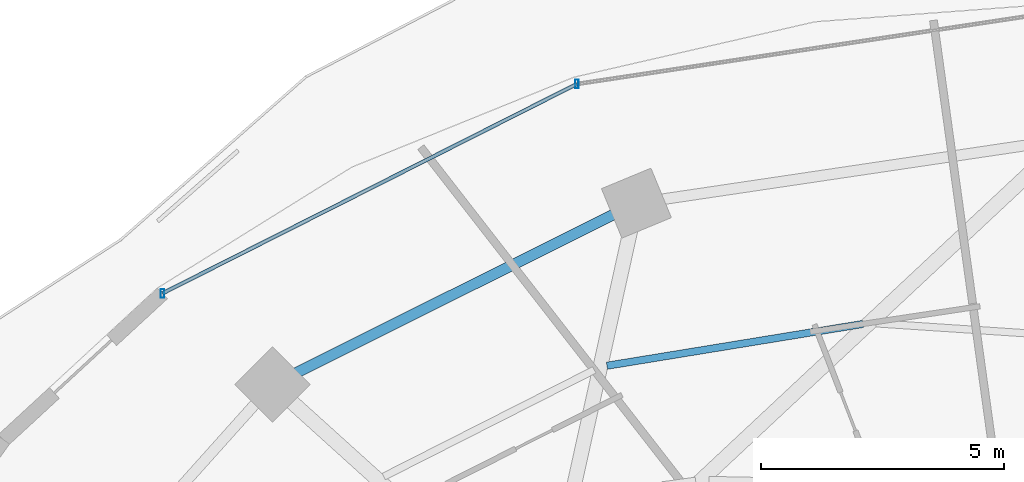
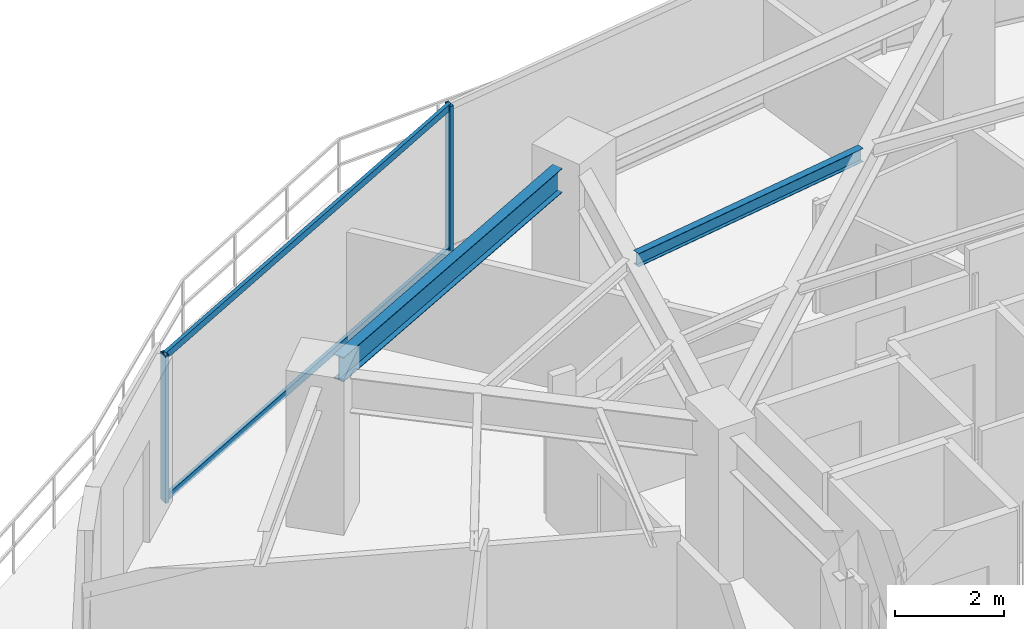
# One storey, part 16 of 30: 4 members, 2 beams, 1 element without a shape of its own.
"""IFC4 building model written with IfcOpenShell, lengths in metres."""

import ifcopenshell
import ifcopenshell.guid

model = None  # the IFC model being written
_history = None  # IfcOwnerHistory: only IFC2X3 demands one
_inside = {}  # id of a spatial element -> (the spatial element, [elements in it])
_under = {}  # id of a project, library or spatial element -> (it, [spatial elements below it])
_declared = {}  # id of a project -> (the project, [libraries it declares])
_typed = {}  # id of a type object -> (the type object, [elements of that type])
_made_of = {}  # id of a material, layer set ... -> (it, [elements and type objects made of it])


def new_model(schema):
    """Start an empty IFC model of exactly this schema.

    Asked for "IFC4X3", IfcOpenShell would pick the latest addendum, in which some entities
    have other attributes; the version numbers below select the first issue.
    IFC2X3 requires an IfcOwnerHistory on every rooted entity: one is made here for all.
    """
    global model, _history
    if schema == "IFC4X3":
        model = ifcopenshell.file(schema_version=(4, 3, 0, 0))
    else:
        model = ifcopenshell.file(schema=schema)
    _inside.clear()
    _under.clear()
    _declared.clear()
    _typed.clear()
    _made_of.clear()
    _history = None
    if model.schema == "IFC2X3":
        org = make("IfcOrganization", Name="unknown")
        user = make(
            "IfcPersonAndOrganization",
            ThePerson=make("IfcPerson", FamilyName="unknown"),
            TheOrganization=org,
        )
        app = make(
            "IfcApplication",
            ApplicationDeveloper=org,
            Version="unknown",
            ApplicationFullName="unknown",
            ApplicationIdentifier="unknown",
        )
        _history = make(
            "IfcOwnerHistory",
            OwningUser=user,
            OwningApplication=app,
            ChangeAction="ADDED",
            CreationDate=0,
        )
    return model


def make(cls, **values):
    """One entity of the class cls with the attributes given. An attribute that is None is left unset."""
    return model.create_entity(
        cls, **{name: value for name, value in values.items() if value is not None}
    )


def rooted(cls, **values):
    """An entity with a GlobalId (a new one), such as an element, a storey or a relation."""
    return make(cls, GlobalId=ifcopenshell.guid.new(), OwnerHistory=_history, **values)


def si_unit(unit_type, name, prefix=None):
    """IfcSIUnit, for example si_unit("LENGTHUNIT", "METRE", prefix="MILLI")."""
    return make("IfcSIUnit", UnitType=unit_type, Prefix=prefix, Name=name)


def assignment(units):
    """IfcUnitAssignment: the units of a project."""
    return None if units is None else make("IfcUnitAssignment", Units=units)


def point(xyz):
    """IfcCartesianPoint."""
    return None if xyz is None else make("IfcCartesianPoint", Coordinates=xyz)


def direction(xyz):
    """IfcDirection."""
    return None if xyz is None else make("IfcDirection", DirectionRatios=xyz)


def frame(location, z_axis=None, x_axis=None):
    """IfcAxis2Placement3D, a coordinate frame: its origin and axes. An axis left out is left unset."""
    return make(
        "IfcAxis2Placement3D",
        Location=point(location),
        Axis=direction(z_axis),
        RefDirection=direction(x_axis),
    )


def frame_2d(location, x_axis=None):
    """IfcAxis2Placement2D, a coordinate frame in the plane: its origin and x axis."""
    return make(
        "IfcAxis2Placement2D", Location=point(location), RefDirection=direction(x_axis)
    )


def origin():
    """The frame at (0, 0, 0) with its axes left unset."""
    return frame((0.0, 0.0, 0.0))


def origin_2d():
    """The frame at (0, 0) in the plane with its x axis left unset."""
    return frame_2d((0.0, 0.0))


def place(relative_to, where):
    """IfcLocalPlacement: puts the frame where relative to a parent placement (None: the world)."""
    return make(
        "IfcLocalPlacement", PlacementRelTo=relative_to, RelativePlacement=where
    )


def context(
    kind, dimensions, precision=None, world=None, true_north=None, identifier=None
):
    """IfcGeometricRepresentationContext, for example the 3D "Model" context."""
    return make(
        "IfcGeometricRepresentationContext",
        ContextIdentifier=identifier,
        ContextType=kind,
        CoordinateSpaceDimension=dimensions,
        Precision=precision,
        WorldCoordinateSystem=world,
        TrueNorth=true_north,
    )


def subcontext(parent, identifier, kind, view, scale=None):
    """IfcGeometricRepresentationSubContext, for example "Body" below "Model"."""
    return make(
        "IfcGeometricRepresentationSubContext",
        ContextIdentifier=identifier,
        ContextType=kind,
        ParentContext=parent,
        TargetScale=scale,
        TargetView=view,
    )


def project(units=None, contexts=None):
    """IfcProject with its units and contexts."""
    return rooted(
        "IfcProject",
        Name="project",
        RepresentationContexts=contexts,
        UnitsInContext=assignment(units),
    )


def spatial(cls, under=None, at=None, **own):
    """A site, building, storey or space (cls), placed at a placement, below another one or the project."""
    s = rooted(cls, ObjectPlacement=at, **own)
    if under is not None:
        _under.setdefault(under.id(), (under, []))[1].append(s)
    return s


def profile(cls, at=None, kind="AREA", **sizes):
    """A parametric profile (cls). Its sizes go by their IFC names, for example OverallWidth=200.0."""
    return make(cls, ProfileType=kind, Position=at, **sizes)


def hollow_rectangle(**sizes):
    """IfcRectangleHollowProfileDef."""
    return profile("IfcRectangleHollowProfileDef", **sizes)


def i_section(**sizes):
    """IfcIShapeProfileDef."""
    return profile("IfcIShapeProfileDef", **sizes)


def extrude(swept, where, along, depth):
    """IfcExtrudedAreaSolid: the profile swept, set in the frame where, extruded along a direction by depth."""
    return make(
        "IfcExtrudedAreaSolid",
        SweptArea=swept,
        Position=where,
        ExtrudedDirection=direction(along),
        Depth=depth,
    )


def shape(context_of_items, identifier, shape_type, items):
    """IfcShapeRepresentation: the items that make up one representation, for example the "Body"."""
    return make(
        "IfcShapeRepresentation",
        ContextOfItems=context_of_items,
        RepresentationIdentifier=identifier,
        RepresentationType=shape_type,
        Items=items,
    )


def material(Name=None, Category=None):
    """IfcMaterial."""
    return make("IfcMaterial", Name=Name, Category=Category)


def material_profile(
    of_material, cross_section, Name=None, Category=None, Priority=None
):
    """IfcMaterialProfile: a cross section and its material."""
    return make(
        "IfcMaterialProfile",
        Name=Name,
        Material=of_material,
        Profile=cross_section,
        Priority=Priority,
        Category=Category,
    )


def profile_set(profiles, Name=None, composite=None):
    """IfcMaterialProfileSet."""
    return make(
        "IfcMaterialProfileSet",
        Name=Name,
        MaterialProfiles=profiles,
        CompositeProfile=composite,
    )


def made_of(thing, what):
    """Note that an element or type object is made of a material, layer set ...; save() writes the relation."""
    if what is not None:
        _made_of.setdefault(what.id(), (what, []))[1].append(thing)
    return thing


def type_object(cls, material=None, **own):
    """A type object (cls), such as IfcWallType, which elements share."""
    return made_of(rooted(cls, **own), material)


def element(
    cls,
    number,
    at=None,
    inside=None,
    cuts=None,
    type_object=None,
    material=None,
    context=None,
    identifier="Body",
    shape_type=None,
    held_by="IfcProductDefinitionShape",
    body=None,
    shapes=None,
    **own,
):
    """One element of the class cls, such as IfcWall. Its Tag is "e" and its number.

    at: its placement. inside: the storey or other place that contains it. cuts: it is an
    opening in that element (IfcRelVoidsElement). A single representation is given by context,
    identifier, shape_type and body (its items); several are given by shapes. held_by: the class
    of the entity that holds the representations. save() writes the other relations.
    """
    e = rooted(cls, Tag="e%d" % number, ObjectPlacement=at, **own)
    if body is not None:
        shapes = [shape(context, identifier, shape_type, body)]
    if shapes is not None:
        e.Representation = make(held_by, Representations=shapes)
    if inside is not None:
        _inside.setdefault(inside.id(), (inside, []))[1].append(e)
    if cuts is not None:
        rooted(
            "IfcRelVoidsElement", RelatingBuildingElement=cuts, RelatedOpeningElement=e
        )
    if type_object is not None:
        _typed.setdefault(type_object.id(), (type_object, []))[1].append(e)
    return made_of(e, material)


def aggregate(whole, parts):
    """IfcRelAggregates: a whole, such as a stair, and the parts it consists of."""
    return rooted("IfcRelAggregates", RelatingObject=whole, RelatedObjects=parts)


def save(model, path):
    """Write the relations noted so far, then the file.

    IfcRelAggregates (storeys below a building ...), IfcRelContainedInSpatialStructure (elements
    in a storey), IfcRelDefinesByType, IfcRelAssociatesMaterial and IfcRelDeclares: one each for
    every whole, place, type object, material and project.
    """
    for whole, parts in _under.values():
        aggregate(whole, parts)
    for where, things in _inside.values():
        rooted(
            "IfcRelContainedInSpatialStructure",
            RelatedElements=things,
            RelatingStructure=where,
        )
    for kind, things in _typed.values():
        rooted("IfcRelDefinesByType", RelatedObjects=things, RelatingType=kind)
    for what, things in _made_of.values():
        rooted("IfcRelAssociatesMaterial", RelatedObjects=things, RelatingMaterial=what)
    for by, libraries in _declared.values():
        rooted("IfcRelDeclares", RelatingContext=by, RelatedDefinitions=libraries)
    model.write(path)


model = new_model("IFC4")

# Units and contexts
model_context = context("Model", 3, precision=1e-05, world=origin(), true_north=direction((0.0, 1.0)))
body_context = subcontext(model_context, "Body", "Model", "MODEL_VIEW")
ifc_project = project(units=[si_unit("LENGTHUNIT", "METRE"), si_unit("AREAUNIT", "SQUARE_METRE"), si_unit("VOLUMEUNIT", "CUBIC_METRE"), si_unit("PLANEANGLEUNIT", "RADIAN"), si_unit("MASSUNIT", "GRAM", prefix="KILO")], contexts=[model_context])

# Site, building, storey
site_placement = place(None, origin())
site = spatial("IfcSite", under=ifc_project, at=site_placement, CompositionType="ELEMENT")
building_placement = place(site_placement, origin())
building = spatial("IfcBuilding", under=site, at=building_placement, Name="Vorneva Point Tower", CompositionType="ELEMENT")
storey_placement = place(building_placement, frame((0.0, 0.0, 96.300048828125)))
storey = spatial("IfcBuildingStorey", under=building, at=storey_placement, Name="L25", CompositionType="ELEMENT", Elevation=96.300048828125)

# Beams
ifc_material_1 = material(Name="Steel S355", Category="steel")
ifc_material_profile_1 = material_profile(ifc_material_1, i_section(OverallWidth=0.14892578125, OverallDepth=0.298095703125, WebThickness=0.005615234375, FlangeThickness=0.008056640625, at=origin_2d()), Name="30B1")
ifc_profile_set_1 = profile_set([ifc_material_profile_1], Name="Steel S355")
beam_type_1 = type_object("IfcBeamType", Name="BM-JST-30B1", PredefinedType="JOIST", material=ifc_profile_set_1)
beam_1_placement = place(storey_placement, frame((33.831787109375, 39.408203125, 3.091064453125), z_axis=(-0.986930947591, -0.161143739214, 0.0), x_axis=(0.161143739214, -0.986930947591, 0.0)))
element("IfcBeam", 1, at=beam_1_placement, inside=storey, type_object=beam_type_1, Name="L25 Secondary Floor Beam 1.05", PredefinedType="JOIST", context=body_context, shape_type="SweptSolid", body=[
    extrude(i_section(OverallWidth=0.14892578125, OverallDepth=0.298095703125, WebThickness=0.005615234375, FlangeThickness=0.008056640625, at=origin_2d()), origin(), (0.0, 0.0, 1.0), 5.328369140625),
])
ifc_material_profile_2 = material_profile(ifc_material_1, i_section(OverallWidth=0.219970703125, OverallDepth=0.54296875, WebThickness=0.009521484375, FlangeThickness=0.013427734375, at=origin_2d()), Name="55B1")
ifc_profile_set_2 = profile_set([ifc_material_profile_2], Name="Steel S355")
beam_type_2 = type_object("IfcBeamType", Name="BM-SPN-55B1", PredefinedType="SPANDREL", material=ifc_profile_set_2)
beam_2_placement = place(storey_placement, frame((28.7001953125, 41.652099609375, 2.968505859375), z_axis=(-0.894915882304, -0.446234874926, 0.0), x_axis=(0.446234874926, -0.894915882304, 0.0)))
element("IfcBeam", 2, at=beam_2_placement, inside=storey, type_object=beam_type_2, Name="L25 Perimeter Spandrel Ring Beam 06", PredefinedType="SPANDREL", context=body_context, shape_type="SweptSolid", body=[
    extrude(i_section(OverallWidth=0.219970703125, OverallDepth=0.54296875, WebThickness=0.009521484375, FlangeThickness=0.013427734375, at=origin_2d()), origin(), (0.0, 0.0, 1.0), 7.285888671875),
])

# Curtain wall, members
ifc_material_2 = material(Name="Pale anodised aluminium", Category="aluminium")
curtain_wall_type = type_object("IfcCurtainWallType", Name="CW-HTL-SYS", PredefinedType="NOTDEFINED", material=ifc_material_2)
curtain_wall_placement = place(storey_placement, origin())
curtain_wall = element("IfcCurtainWall", 3, at=curtain_wall_placement, inside=storey, type_object=curtain_wall_type, Name="L25 Unitised Curtain Wall CW-L25-R02", PredefinedType="NOTDEFINED")
ifc_material_profile_3 = material_profile(ifc_material_2, hollow_rectangle(XDim=0.074951171875, YDim=0.179931640625, WallThickness=0.00390625, at=origin_2d()), Name="AL-MUL 180x75x4")
ifc_profile_set_3 = profile_set([ifc_material_profile_3], Name="Pale anodised aluminium")
member_type_1 = type_object("IfcMemberType", Name="CW-MUL-180", PredefinedType="MULLION", material=ifc_profile_set_3)
member_1_placement = place(storey_placement, frame((27.95458984375, 44.339111328125, -0.0400390625), z_axis=(0.0, 0.0, 1.0), x_axis=(1.0, 0.0, 0.0)))
member_1 = element("IfcMember", 4, at=member_1_placement, type_object=member_type_1, Name="CW-L25-R02 Mullion 04", PredefinedType="MULLION", context=body_context, shape_type="SweptSolid", body=[
    extrude(hollow_rectangle(XDim=0.074951171875, YDim=0.179931640625, WallThickness=0.00390625, at=origin_2d()), origin(), (0.0, 0.0, 1.0), 3.31005859375),
])
member_2_placement = place(storey_placement, frame((19.4384765625, 40.0361328125, -0.0400390625), z_axis=(0.0, 0.0, 1.0), x_axis=(1.0, 0.0, 0.0)))
member_2 = element("IfcMember", 5, at=member_2_placement, type_object=member_type_1, Name="CW-L25-R02 Mullion 05", PredefinedType="MULLION", context=body_context, shape_type="SweptSolid", body=[
    extrude(hollow_rectangle(XDim=0.074951171875, YDim=0.179931640625, WallThickness=0.00390625, at=origin_2d()), origin(), (0.0, 0.0, 1.0), 3.31005859375),
])
ifc_material_profile_4 = material_profile(ifc_material_2, hollow_rectangle(XDim=0.074951171875, YDim=0.14990234375, WallThickness=0.00390625, at=origin_2d()), Name="AL-TRN 150x75x4")
ifc_profile_set_4 = profile_set([ifc_material_profile_4], Name="Pale anodised aluminium")
member_type_2 = type_object("IfcMemberType", Name="CW-TRN-150", PredefinedType="USERDEFINED", material=ifc_profile_set_4)
member_3_placement = place(storey_placement, frame((27.95458984375, 44.339111328125, 0.02001953125), z_axis=(-0.892536035732, -0.450976080207, 0.0), x_axis=(0.450976080207, -0.892536035732, 0.0)))
member_3 = element("IfcMember", 6, at=member_3_placement, type_object=member_type_2, Name="CW-L25-R02 Transom 04.1", ObjectType="TRANSOM", PredefinedType="USERDEFINED", context=body_context, shape_type="SweptSolid", body=[
    extrude(hollow_rectangle(XDim=0.074951171875, YDim=0.14990234375, WallThickness=0.00390625, at=origin_2d()), origin(), (0.0, 0.0, 1.0), 9.54150390625),
])
member_4_placement = place(storey_placement, frame((27.95458984375, 44.339111328125, 3.219970703125), z_axis=(-0.892536035732, -0.450976080207, 0.0), x_axis=(0.450976080207, -0.892536035732, 0.0)))
member_4 = element("IfcMember", 7, at=member_4_placement, type_object=member_type_2, Name="CW-L25-R02 Transom 04.2", ObjectType="TRANSOM", PredefinedType="USERDEFINED", context=body_context, shape_type="SweptSolid", body=[
    extrude(hollow_rectangle(XDim=0.074951171875, YDim=0.14990234375, WallThickness=0.00390625, at=origin_2d()), origin(), (0.0, 0.0, 1.0), 9.54150390625),
])
aggregate(curtain_wall, [member_1, member_2, member_3, member_4])

save(model, "model.ifc")
